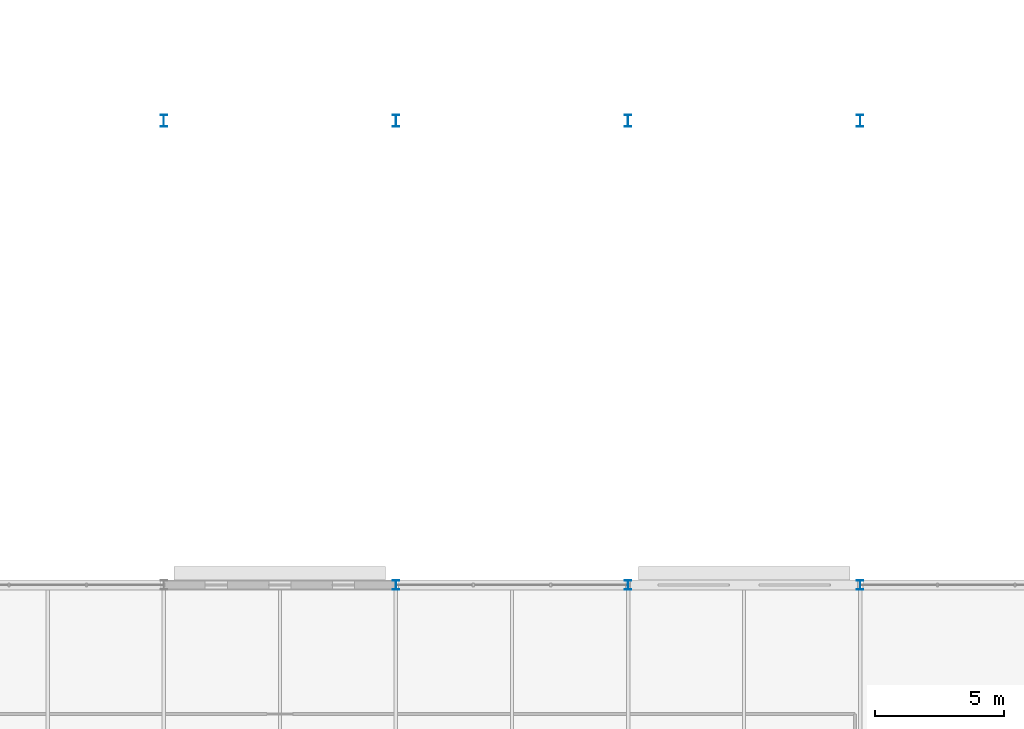
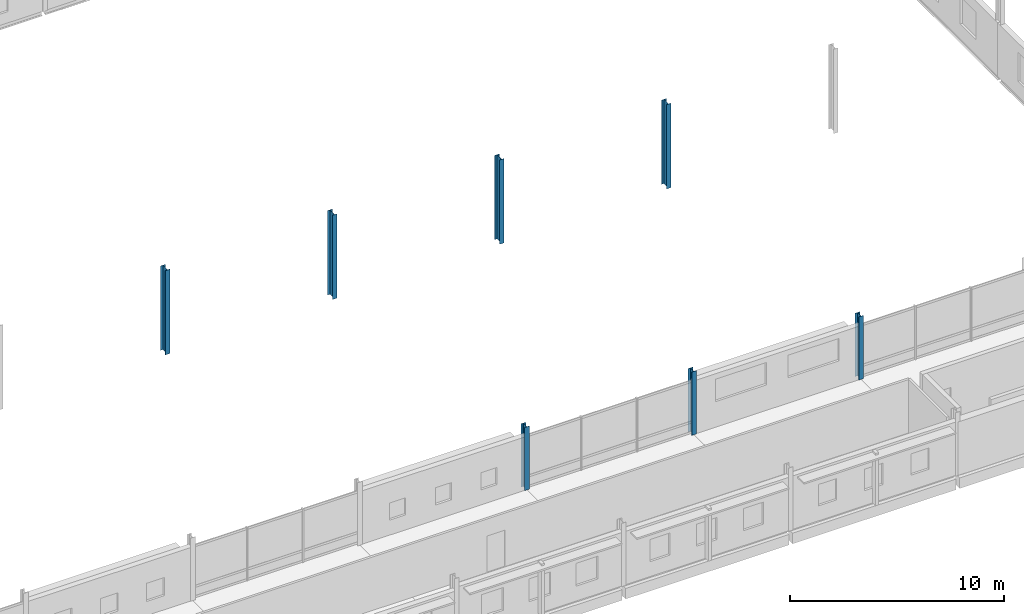
# One storey, part 16 of 132: 7 columns.
"""IFC4 building model written with IfcOpenShell, lengths in metres."""

from ifc_helpers import new_model, si_unit, direction, frame, origin, origin_2d, place, context, subcontext, project, spatial, i_section, extrude, material, material_profile, profile_set, type_object, element, save


model = new_model("IFC4")

# Units and contexts
model_context = context("Model", 3, precision=1e-05, world=origin(), true_north=direction((0.0, 1.0)))
body_context = subcontext(model_context, "Body", "Model", "MODEL_VIEW")
ifc_project = project(units=[si_unit("LENGTHUNIT", "METRE"), si_unit("AREAUNIT", "SQUARE_METRE"), si_unit("VOLUMEUNIT", "CUBIC_METRE"), si_unit("PLANEANGLEUNIT", "RADIAN"), si_unit("MASSUNIT", "GRAM", prefix="KILO")], contexts=[model_context])

# Site, building, storey
site_placement = place(None, origin())
site = spatial("IfcSite", under=ifc_project, at=site_placement, CompositionType="ELEMENT")
building_placement = place(site_placement, origin())
building = spatial("IfcBuilding", under=site, at=building_placement, Name="Tharagai Park Tramway Depot", CompositionType="ELEMENT")
storey_placement = place(building_placement, frame((0.0, 0.0, 4.800048828125)))
storey = spatial("IfcBuildingStorey", under=building, at=storey_placement, Name="L01", CompositionType="ELEMENT", Elevation=4.800048828125)

# Columns
ifc_material = material(Name="Steel E350", Category="steel")
ifc_material_profile_1 = material_profile(ifc_material, i_section(OverallWidth=0.25, OverallDepth=0.449951171875, WebThickness=0.01123046875, FlangeThickness=0.013671875, FilletRadius=0.014892578125, at=origin_2d()), Name="ISHB 450")
ifc_profile_set_1 = profile_set([ifc_material_profile_1], Name="Steel E350")
column_type_1 = type_object("IfcColumnType", Name="CL-01", PredefinedType="COLUMN", material=ifc_profile_set_1)
for number, where, z_axis, x_axis, name in (
    (1, (99.0, 117.0, 0.0), (0.0, 0.0, 1.0), (1.0, 0.0, 0.0), "Shed Stanchion CL-01 (99,117)"),
    (2, (108.0, 117.0, 0.0), (0.0, 0.0, 1.0), (1.0, 0.0, 0.0), "Shed Stanchion CL-01 (108,117)"),
    (3, (117.0, 117.0, 0.0), (0.0, 0.0, 1.0), (1.0, 0.0, 0.0), "Shed Stanchion CL-01 (117,117)"),
    (4, (126.0, 117.0, 0.0), (0.0, 0.0, 1.0), (1.0, 0.0, 0.0), "Shed Stanchion CL-01 (126,117)"),
):
    element("IfcColumn", number, at=place(storey_placement, frame(where, z_axis=z_axis, x_axis=x_axis)), inside=storey, type_object=column_type_1, Name=name, PredefinedType="COLUMN", context=body_context, shape_type="SweptSolid", body=[
        extrude(i_section(OverallWidth=0.25, OverallDepth=0.449951171875, WebThickness=0.01123046875, FlangeThickness=0.013671875, FilletRadius=0.014892578125, at=origin_2d()), origin(), (0.0, 0.0, 1.0), 4.800048828125),
    ])
ifc_material_profile_2 = material_profile(ifc_material, i_section(OverallWidth=0.25, OverallDepth=0.35009765625, WebThickness=0.010009765625, FlangeThickness=0.01171875, FilletRadius=0.011962890625, at=origin_2d()), Name="ISHB 350")
ifc_profile_set_2 = profile_set([ifc_material_profile_2], Name="Steel E350")
column_type_2 = type_object("IfcColumnType", Name="CL-09", PredefinedType="COLUMN", material=ifc_profile_set_2)
for number, where, z_axis, x_axis, name in (
    (5, (108.0, 99.0, 0.0), (0.0, 0.0, 1.0), (1.0, 0.0, 0.0), "L01 Structural Column CL-09 (108,99)"),
    (6, (117.0, 99.0, 0.0), (0.0, 0.0, 1.0), (1.0, 0.0, 0.0), "L01 Structural Column CL-09 (117,99)"),
    (7, (126.0, 99.0, 0.0), (0.0, 0.0, 1.0), (1.0, 0.0, 0.0), "L01 Structural Column CL-09 (126,99)"),
):
    element("IfcColumn", number, at=place(storey_placement, frame(where, z_axis=z_axis, x_axis=x_axis)), inside=storey, type_object=column_type_2, Name=name, PredefinedType="COLUMN", context=body_context, shape_type="SweptSolid", body=[
        extrude(i_section(OverallWidth=0.25, OverallDepth=0.35009765625, WebThickness=0.010009765625, FlangeThickness=0.01171875, FilletRadius=0.011962890625, at=origin_2d()), origin(), (0.0, 0.0, 1.0), 3.599853515625),
    ])

save(model, "model.ifc")
